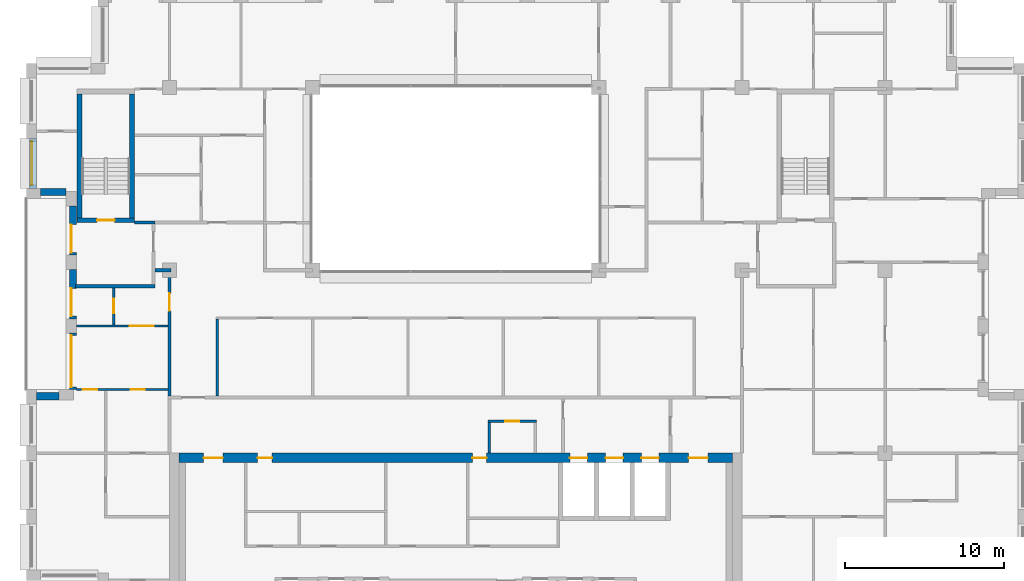
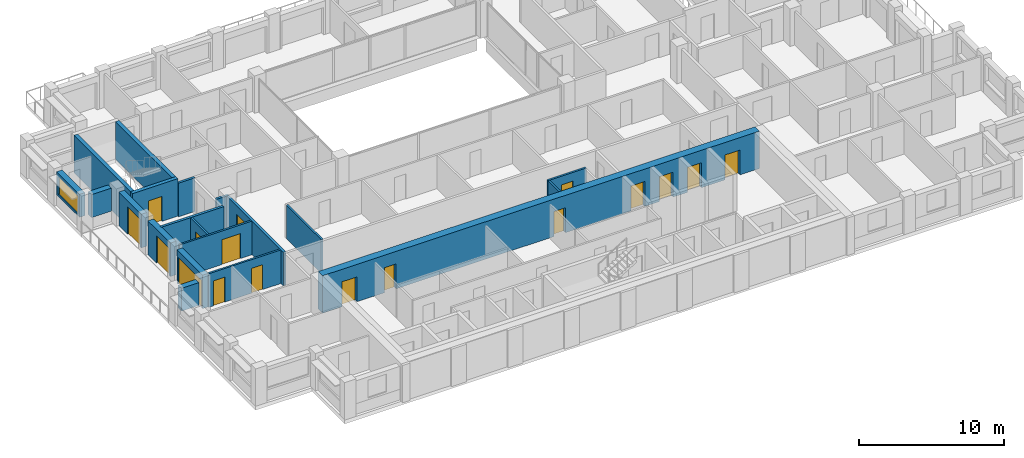
# One storey, part 9 of 16: 20 walls, 17 doors, 1 window, 18 openings.
"""IFC4 building model written with IfcOpenShell, lengths in metres."""

from ifc_helpers import new_model, si_unit, direction, frame, frame_2d, origin, place, context, subcontext, project, spatial, rectangle, extrude, material, layer, layer_set, type_object, element, fill, save


model = new_model("IFC4")

# Units and contexts
model_context = context("Model", 3, precision=1e-05, world=origin(), true_north=direction((0.0, 1.0)))
body_context = subcontext(model_context, "Body", "Model", "MODEL_VIEW")
ifc_project = project(units=[si_unit("LENGTHUNIT", "METRE"), si_unit("AREAUNIT", "SQUARE_METRE"), si_unit("VOLUMEUNIT", "CUBIC_METRE"), si_unit("PLANEANGLEUNIT", "RADIAN"), si_unit("MASSUNIT", "GRAM", prefix="KILO")], contexts=[model_context])

# Site, building, storey
site_placement = place(None, origin())
site = spatial("IfcSite", under=ifc_project, at=site_placement, CompositionType="ELEMENT")
building_placement = place(site_placement, origin())
building = spatial("IfcBuilding", under=site, at=building_placement, Name="Brigalow Station Residences", CompositionType="ELEMENT")
storey_placement = place(building_placement, frame((0.0, 0.0, 201.14990234375)))
storey = spatial("IfcBuildingStorey", under=building, at=storey_placement, Name="L57", CompositionType="ELEMENT", Elevation=201.14990234375)

# Wall, opening, window
ifc_material_1 = material(Name="Clay brick masonry", Category="masonry")
ifc_layer_1 = layer(ifc_material_1, 0.449951171875)
ifc_layer_set_1 = layer_set([ifc_layer_1], Name="BRICK INFILL WALL 450")
wall_type_1 = type_object("IfcWallType", Name="BRICK INFILL WALL 450", PredefinedType="SOLIDWALL", material=ifc_layer_set_1)
wall_1_placement = place(storey_placement, frame((9.425048828125, 32.300048828125, 0.900146484375), z_axis=(0.0, 0.0, 1.0), x_axis=(0.0, -1.0, 0.0)))
wall_1 = element("IfcWall", 1, at=wall_1_placement, inside=storey, type_object=wall_type_1, Name="L57/ewall/W-L57-35", PredefinedType="SOLIDWALL", context=body_context, shape_type="SweptSolid", body=[
    extrude(rectangle(XDim=3.150146484375, YDim=0.449951171875, at=frame_2d((1.5751953125, 0.0))), origin(), (0.0, 0.0, 1.0), 1.929931640625),
])
opening_1_placement = place(wall_1_placement, frame((0.199951171875, 0.0, 0.14990234375)))
opening_1 = element("IfcOpeningElement", 2, at=opening_1_placement, cuts=wall_1, Name="Opening WT-3", PredefinedType="OPENING", context=body_context, shape_type="SweptSolid", body=[
    extrude(rectangle(XDim=2.75, YDim=1.5, at=frame_2d((1.375, 0.75))), frame((0.0, 0.23486328125, 0.0), z_axis=(0.0, -1.0, 0.0), x_axis=(1.0, 0.0, 0.0)), (0.0, 0.0, 1.0), 0.469970703125),
])
ifc_material_2 = material(Name="Anodised aluminium frame with double glazing", Category="aluminium")
window_type = type_object("IfcWindowType", Name="WINDOW 2750x1500", PartitioningType="SINGLE_PANEL", PredefinedType="WINDOW", material=ifc_material_2)
window_placement = place(opening_1_placement, origin())
window = element("IfcWindow", 3, at=window_placement, inside=storey, type_object=window_type, Name="L57/window/W-L57-35", OverallHeight=1.5, OverallWidth=2.75, PartitioningType="SINGLE_PANEL", PredefinedType="WINDOW", context=body_context, shape_type="SweptSolid", body=[
    extrude(rectangle(XDim=2.75, YDim=1.5, at=frame_2d((1.375, 0.75))), frame((0.0, -0.06494140625, 0.0), z_axis=(0.0, -1.0, 0.0), x_axis=(1.0, 0.0, 0.0)), (0.0, 0.0, 1.0), 0.06005859375),
])
fill(opening_1, window)

# Wall
wall_2_placement = place(storey_placement, frame((9.89990234375, 28.925048828125, 0.900146484375), z_axis=(0.0, 0.0, 1.0), x_axis=(1.0, 0.0, 0.0)))
element("IfcWall", 4, at=wall_2_placement, inside=storey, type_object=wall_type_1, Name="L57/ewall/W-L57-36", PredefinedType="SOLIDWALL", context=body_context, shape_type="SweptSolid", body=[
    extrude(rectangle(XDim=1.60009765625, YDim=0.449951171875, at=frame_2d((0.800048828125, 0.0))), origin(), (0.0, 0.0, 1.0), 1.929931640625),
])

# Wall, opening, door
wall_3_placement = place(storey_placement, frame((11.925048828125, 28.050048828125, 0.0), z_axis=(0.0, 0.0, 1.0), x_axis=(0.0, -1.0, 0.0)))
wall_3 = element("IfcWall", 5, at=wall_3_placement, inside=storey, type_object=wall_type_1, Name="L57/ewall/W-L57-37", PredefinedType="SOLIDWALL", context=body_context, shape_type="SweptSolid", body=[
    extrude(rectangle(XDim=3.10009765625, YDim=0.449951171875, at=frame_2d((1.550048828125, 0.0))), origin(), (0.0, 0.0, 1.0), 2.830078125),
])
opening_2_placement = place(wall_3_placement, frame((1.18505859375, 0.0, 0.0)))
opening_2 = element("IfcOpeningElement", 6, at=opening_2_placement, cuts=wall_3, Name="Opening D-B1750", PredefinedType="OPENING", context=body_context, shape_type="SweptSolid", body=[
    extrude(rectangle(XDim=1.75, YDim=2.300048828125, at=frame_2d((0.875, 1.14990234375))), frame((0.0, 0.23486328125, 0.0), z_axis=(0.0, -1.0, 0.0), x_axis=(1.0, 0.0, 0.0)), (0.0, 0.0, 1.0), 0.469970703125),
])
ifc_material_3 = material(Name="Anodised aluminium frame with double glazing", Category="aluminium")
door_type_1 = type_object("IfcDoorType", Name="BALCONY SLIDING DOOR 1750x2300", OperationType="SLIDING_TO_LEFT", PredefinedType="DOOR", material=ifc_material_3)
door_1_placement = place(opening_2_placement, frame((1.75, -0.18994140625, 0.0), z_axis=(0.0, 0.0, 1.0), x_axis=(-1.0, 0.0, 0.0)))
door_1 = element("IfcDoor", 7, at=door_1_placement, inside=storey, type_object=door_type_1, Name="L57/balcony-door/W-L57-37", OperationType="SLIDING_TO_LEFT", OverallHeight=2.300048828125, OverallWidth=1.75, PredefinedType="DOOR", context=body_context, shape_type="SweptSolid", body=[
    extrude(rectangle(XDim=1.75, YDim=2.300048828125, at=frame_2d((0.875, 1.14990234375))), frame((0.0, -0.06982421875, 0.0), z_axis=(0.0, -1.0, 0.0), x_axis=(1.0, 0.0, 0.0)), (0.0, 0.0, 1.0), 0.050048828125),
])
fill(opening_2, door_1)

wall_4_placement = place(storey_placement, frame((11.925048828125, 24.050048828125, 0.0), z_axis=(0.0, 0.0, 1.0), x_axis=(0.0, -1.0, 0.0)))
wall_4 = element("IfcWall", 8, at=wall_4_placement, inside=storey, type_object=wall_type_1, Name="L57/ewall/W-L57-38", PredefinedType="SOLIDWALL", context=body_context, shape_type="SweptSolid", body=[
    extrude(rectangle(XDim=3.10009765625, YDim=0.449951171875, at=frame_2d((1.550048828125, 0.0))), origin(), (0.0, 0.0, 1.0), 2.830078125),
])
opening_3_placement = place(wall_4_placement, frame((1.18505859375, 0.0, 0.0)))
opening_3 = element("IfcOpeningElement", 9, at=opening_3_placement, cuts=wall_4, Name="Opening D-B1750", PredefinedType="OPENING", context=body_context, shape_type="SweptSolid", body=[
    extrude(rectangle(XDim=1.75, YDim=2.300048828125, at=frame_2d((0.875, 1.14990234375))), frame((0.0, 0.23486328125, 0.0), z_axis=(0.0, -1.0, 0.0), x_axis=(1.0, 0.0, 0.0)), (0.0, 0.0, 1.0), 0.469970703125),
])
door_2_placement = place(opening_3_placement, origin())
door_2 = element("IfcDoor", 10, at=door_2_placement, inside=storey, type_object=door_type_1, Name="L57/balcony-door/W-L57-38", OperationType="SLIDING_TO_LEFT", OverallHeight=2.300048828125, OverallWidth=1.75, PredefinedType="DOOR", context=body_context, shape_type="SweptSolid", body=[
    extrude(rectangle(XDim=1.75, YDim=2.300048828125, at=frame_2d((0.875, 1.14990234375))), frame((0.0, -0.06982421875, 0.0), z_axis=(0.0, -1.0, 0.0), x_axis=(1.0, 0.0, 0.0)), (0.0, 0.0, 1.0), 0.050048828125),
])
fill(opening_3, door_2)

wall_5_placement = place(storey_placement, frame((11.925048828125, 20.050048828125, 0.0), z_axis=(0.0, 0.0, 1.0), x_axis=(0.0, -1.0, 0.0)))
wall_5 = element("IfcWall", 11, at=wall_5_placement, inside=storey, type_object=wall_type_1, Name="L57/ewall/W-L57-39", PredefinedType="SOLIDWALL", context=body_context, shape_type="SweptSolid", body=[
    extrude(rectangle(XDim=3.550048828125, YDim=0.449951171875, at=frame_2d((1.77490234375, 0.0))), origin(), (0.0, 0.0, 1.0), 2.830078125),
])
opening_4_placement = place(wall_5_placement, frame((0.14990234375, 0.0, 0.0)))
opening_4 = element("IfcOpeningElement", 12, at=opening_4_placement, cuts=wall_5, Name="Opening D-B3250", PredefinedType="OPENING", context=body_context, shape_type="SweptSolid", body=[
    extrude(rectangle(XDim=3.25, YDim=2.300048828125, at=frame_2d((1.625, 1.14990234375))), frame((0.0, 0.23486328125, 0.0), z_axis=(0.0, -1.0, 0.0), x_axis=(1.0, 0.0, 0.0)), (0.0, 0.0, 1.0), 0.469970703125),
])
ifc_material_4 = material(Name="Anodised aluminium frame with double glazing", Category="aluminium")
door_type_2 = type_object("IfcDoorType", Name="BALCONY SLIDING DOOR 3250x2300", OperationType="SLIDING_TO_LEFT", PredefinedType="DOOR", material=ifc_material_4)
door_3_placement = place(opening_4_placement, origin())
door_3 = element("IfcDoor", 13, at=door_3_placement, inside=storey, type_object=door_type_2, Name="L57/balcony-door/W-L57-39", OperationType="SLIDING_TO_LEFT", OverallHeight=2.300048828125, OverallWidth=3.25, PredefinedType="DOOR", context=body_context, shape_type="SweptSolid", body=[
    extrude(rectangle(XDim=3.25, YDim=2.300048828125, at=frame_2d((1.625, 1.14990234375))), frame((0.0, -0.06982421875, 0.0), z_axis=(0.0, -1.0, 0.0), x_axis=(1.0, 0.0, 0.0)), (0.0, 0.0, 1.0), 0.050048828125),
])
fill(opening_4, door_3)

# Wall
wall_6_placement = place(storey_placement, frame((11.050048828125, 16.074951171875, 0.900146484375), z_axis=(0.0, 0.0, 1.0), x_axis=(-1.0, 0.0, 0.0)))
element("IfcWall", 14, at=wall_6_placement, inside=storey, type_object=wall_type_1, Name="L57/ewall/W-L57-40", PredefinedType="SOLIDWALL", context=body_context, shape_type="SweptSolid", body=[
    extrude(rectangle(XDim=1.400146484375, YDim=0.449951171875, at=frame_2d((0.7001953125, 0.0))), origin(), (0.0, 0.0, 1.0), 1.929931640625),
])

# Wall, opening, door
ifc_material_5 = material(Name="Concrete C50", Category="concrete")
ifc_layer_2 = layer(ifc_material_5, 0.300048828125)
ifc_layer_set_2 = layer_set([ifc_layer_2], Name="CORE SHEAR WALL 300 C50")
wall_type_2 = type_object("IfcWallType", Name="CORE SHEAR WALL 300 C50", PredefinedType="SHEAR", material=ifc_layer_set_2)
wall_7_placement = place(storey_placement, frame((12.199951171875, 27.14990234375, 0.0), z_axis=(0.0, 0.0, 1.0), x_axis=(1.0, 0.0, 0.0)))
wall_7 = element("IfcWall", 15, at=wall_7_placement, inside=storey, type_object=wall_type_2, Name="CORE WALL ST-S1-S L57", PredefinedType="SHEAR", context=body_context, shape_type="SweptSolid", body=[
    extrude(rectangle(XDim=3.60009765625, YDim=0.300048828125, at=frame_2d((1.800048828125, 0.0))), origin(), (0.0, 0.0, 1.0), 3.150146484375),
])
opening_5_placement = place(wall_7_placement, frame((1.25, 0.0, 0.0)))
opening_5 = element("IfcOpeningElement", 16, at=opening_5_placement, cuts=wall_7, Name="Opening D-5015", PredefinedType="OPENING", context=body_context, shape_type="SweptSolid", body=[
    extrude(rectangle(XDim=1.10009765625, YDim=2.10009765625, at=frame_2d((0.550048828125, 1.050048828125))), frame((0.0, 0.16015625, 0.0), z_axis=(0.0, -1.0, 0.0), x_axis=(1.0, 0.0, 0.0)), (0.0, 0.0, 1.0), 0.320068359375),
])
ifc_material_6 = material(Name="Steel fire door leaf in steel frame", Category="steel")
door_type_3 = type_object("IfcDoorType", Name="STAIR DOOR 1100 x 2100 FD60S", OperationType="SINGLE_SWING_LEFT", PredefinedType="DOOR", material=ifc_material_6)
door_4_placement = place(opening_5_placement, origin())
door_4 = element("IfcDoor", 17, at=door_4_placement, inside=storey, type_object=door_type_3, Name="D-5015", OperationType="SINGLE_SWING_LEFT", OverallHeight=2.10009765625, OverallWidth=1.10009765625, PredefinedType="DOOR", context=body_context, shape_type="SweptSolid", body=[
    extrude(rectangle(XDim=1.10009765625, YDim=2.10009765625, at=frame_2d((0.550048828125, 1.050048828125))), frame((0.0, 0.02490234375, 0.0), z_axis=(0.0, -1.0, 0.0), x_axis=(1.0, 0.0, 0.0)), (0.0, 0.0, 1.0), 0.050048828125),
])
fill(opening_5, door_4)

# Walls
for number, where, z_axis, x_axis, name in (
    (18, (12.35009765625, 27.300048828125, 0.0), (0.0, 0.0, 1.0), (0.0, 1.0, 0.0), "CORE WALL ST-S1-W L57"),
    (19, (15.64990234375, 27.300048828125, 0.0), (0.0, 0.0, 1.0), (0.0, 1.0, 0.0), "CORE WALL ST-S1-E L57"),
):
    element("IfcWall", number, at=place(storey_placement, frame(where, z_axis=z_axis, x_axis=x_axis)), inside=storey, type_object=wall_type_2, Name=name, PredefinedType="SHEAR", context=body_context, shape_type="SweptSolid", body=[
        extrude(rectangle(XDim=7.800048828125, YDim=0.300048828125, at=frame_2d((3.89990234375, 0.0))), origin(), (0.0, 0.0, 1.0), 3.150146484375),
    ])

# Wall, openings, doors
ifc_material_7 = material(Name="Concrete C50", Category="concrete")
ifc_layer_3 = layer(ifc_material_7, 0.60009765625)
ifc_layer_set_3 = layer_set([ifc_layer_3], Name="CORE SHEAR WALL 600 C50")
wall_type_3 = type_object("IfcWallType", Name="CORE SHEAR WALL 600 C50", PredefinedType="SHEAR", material=ifc_layer_set_3)
wall_8_placement = place(storey_placement, frame((18.60009765625, 12.199951171875, 0.0), z_axis=(0.0, 0.0, 1.0), x_axis=(1.0, 0.0, 0.0)))
wall_8 = element("IfcWall", 20, at=wall_8_placement, inside=storey, type_object=wall_type_3, Name="CORE WALL OUT-N L57", PredefinedType="SHEAR", context=body_context, shape_type="SweptSolid", body=[
    extrude(rectangle(XDim=34.7998046875, YDim=0.60009765625, at=frame_2d((17.39990234375, 0.0))), origin(), (0.0, 0.0, 1.0), 3.150146484375),
])
opening_6_placement = place(wall_8_placement, frame((24.574951171875, 0.0, 0.0)))
opening_6 = element("IfcOpeningElement", 21, at=opening_6_placement, cuts=wall_8, Name="Opening LD-LF1", PredefinedType="OPENING", context=body_context, shape_type="SweptSolid", body=[
    extrude(rectangle(XDim=1.10009765625, YDim=2.10009765625, at=frame_2d((0.550048828125, 1.050048828125))), frame((0.0, 0.31005859375, 0.0), z_axis=(0.0, -1.0, 0.0), x_axis=(1.0, 0.0, 0.0)), (0.0, 0.0, 1.0), 0.6201171875),
])
opening_7_placement = place(wall_8_placement, frame((26.824951171875, 0.0, 0.0)))
opening_7 = element("IfcOpeningElement", 22, at=opening_7_placement, cuts=wall_8, Name="Opening LD-LF2", PredefinedType="OPENING", context=body_context, shape_type="SweptSolid", body=[
    extrude(rectangle(XDim=1.10009765625, YDim=2.10009765625, at=frame_2d((0.550048828125, 1.050048828125))), frame((0.0, 0.31005859375, 0.0), z_axis=(0.0, -1.0, 0.0), x_axis=(1.0, 0.0, 0.0)), (0.0, 0.0, 1.0), 0.6201171875),
])
opening_8_placement = place(wall_8_placement, frame((29.074951171875, 0.0, 0.0)))
opening_8 = element("IfcOpeningElement", 23, at=opening_8_placement, cuts=wall_8, Name="Opening LD-LG1", PredefinedType="OPENING", context=body_context, shape_type="SweptSolid", body=[
    extrude(rectangle(XDim=1.10009765625, YDim=2.10009765625, at=frame_2d((0.550048828125, 1.050048828125))), frame((0.0, 0.31005859375, 0.0), z_axis=(0.0, -1.0, 0.0), x_axis=(1.0, 0.0, 0.0)), (0.0, 0.0, 1.0), 0.6201171875),
])
opening_9_placement = place(wall_8_placement, frame((4.949951171875, 0.0, 0.0)))
opening_9 = element("IfcOpeningElement", 24, at=opening_9_placement, cuts=wall_8, Name="Opening D-5118", PredefinedType="OPENING", context=body_context, shape_type="SweptSolid", body=[
    extrude(rectangle(XDim=0.89990234375, YDim=2.10009765625, at=frame_2d((0.449951171875, 1.050048828125))), frame((0.0, 0.31005859375, 0.0), z_axis=(0.0, -1.0, 0.0), x_axis=(1.0, 0.0, 0.0)), (0.0, 0.0, 1.0), 0.6201171875),
])
opening_10_placement = place(wall_8_placement, frame((18.449951171875, 0.0, 0.0)))
opening_10 = element("IfcOpeningElement", 25, at=opening_10_placement, cuts=wall_8, Name="Opening D-5119", PredefinedType="OPENING", context=body_context, shape_type="SweptSolid", body=[
    extrude(rectangle(XDim=0.89990234375, YDim=2.10009765625, at=frame_2d((0.449951171875, 1.050048828125))), frame((0.0, 0.31005859375, 0.0), z_axis=(0.0, -1.0, 0.0), x_axis=(1.0, 0.0, 0.0)), (0.0, 0.0, 1.0), 0.6201171875),
])
opening_11_placement = place(wall_8_placement, frame((1.550048828125, 0.0, 0.0)))
opening_11 = element("IfcOpeningElement", 26, at=opening_11_placement, cuts=wall_8, Name="Opening D-5011", PredefinedType="OPENING", context=body_context, shape_type="SweptSolid", body=[
    extrude(rectangle(XDim=1.199951171875, YDim=2.10009765625, at=frame_2d((0.60009765625, 1.050048828125))), frame((0.0, 0.31005859375, 0.0), z_axis=(0.0, -1.0, 0.0), x_axis=(1.0, 0.0, 0.0)), (0.0, 0.0, 1.0), 0.6201171875),
])
opening_12_placement = place(wall_8_placement, frame((32.050048828125, 0.0, 0.0)))
opening_12 = element("IfcOpeningElement", 27, at=opening_12_placement, cuts=wall_8, Name="Opening D-5012", PredefinedType="OPENING", context=body_context, shape_type="SweptSolid", body=[
    extrude(rectangle(XDim=1.199951171875, YDim=2.10009765625, at=frame_2d((0.60009765625, 1.050048828125))), frame((0.0, 0.31005859375, 0.0), z_axis=(0.0, -1.0, 0.0), x_axis=(1.0, 0.0, 0.0)), (0.0, 0.0, 1.0), 0.6201171875),
])
ifc_material_8 = material(Name="Steel fire door leaf in steel frame", Category="steel")
door_type_4 = type_object("IfcDoorType", Name="CORE CORRIDOR DOOR 1200 x 2100 FD60S", OperationType="SINGLE_SWING_LEFT", PredefinedType="DOOR", material=ifc_material_8)
door_5_placement = place(opening_11_placement, frame((1.199951171875, 0.0, 0.0), z_axis=(0.0, 0.0, 1.0), x_axis=(-1.0, 0.0, 0.0)))
door_5 = element("IfcDoor", 28, at=door_5_placement, inside=storey, type_object=door_type_4, Name="D-5011", OperationType="SINGLE_SWING_LEFT", OverallHeight=2.10009765625, OverallWidth=1.199951171875, PredefinedType="DOOR", context=body_context, shape_type="SweptSolid", body=[
    extrude(rectangle(XDim=1.199951171875, YDim=2.10009765625, at=frame_2d((0.60009765625, 1.050048828125))), frame((0.0, 0.02490234375, 0.0), z_axis=(0.0, -1.0, 0.0), x_axis=(1.0, 0.0, 0.0)), (0.0, 0.0, 1.0), 0.050048828125),
])
fill(opening_11, door_5)
door_6_placement = place(opening_12_placement, frame((1.199951171875, 0.0, 0.0), z_axis=(0.0, 0.0, 1.0), x_axis=(-1.0, 0.0, 0.0)))
door_6 = element("IfcDoor", 29, at=door_6_placement, inside=storey, type_object=door_type_4, Name="D-5012", OperationType="SINGLE_SWING_LEFT", OverallHeight=2.10009765625, OverallWidth=1.199951171875, PredefinedType="DOOR", context=body_context, shape_type="SweptSolid", body=[
    extrude(rectangle(XDim=1.199951171875, YDim=2.10009765625, at=frame_2d((0.60009765625, 1.050048828125))), frame((0.0, 0.02490234375, 0.0), z_axis=(0.0, -1.0, 0.0), x_axis=(1.0, 0.0, 0.0)), (0.0, 0.0, 1.0), 0.050048828125),
])
fill(opening_12, door_6)
ifc_material_9 = material(Name="Stainless steel sliding door leaves", Category="steel")
door_type_5 = type_object("IfcDoorType", Name="LIFT LANDING DOOR 1100 x 2100", OperationType="DOUBLE_DOOR_SLIDING", PredefinedType="DOOR", material=ifc_material_9)
door_7_placement = place(opening_6_placement, origin())
door_7 = element("IfcDoor", 30, at=door_7_placement, inside=storey, type_object=door_type_5, Name="LANDING DOOR LF1", OperationType="DOUBLE_DOOR_SLIDING", OverallHeight=2.10009765625, OverallWidth=1.10009765625, PredefinedType="DOOR", context=body_context, shape_type="SweptSolid", body=[
    extrude(rectangle(XDim=1.10009765625, YDim=2.10009765625, at=frame_2d((0.550048828125, 1.050048828125))), frame((0.0, 0.02490234375, 0.0), z_axis=(0.0, -1.0, 0.0), x_axis=(1.0, 0.0, 0.0)), (0.0, 0.0, 1.0), 0.050048828125),
])
fill(opening_6, door_7)
door_8_placement = place(opening_7_placement, origin())
door_8 = element("IfcDoor", 31, at=door_8_placement, inside=storey, type_object=door_type_5, Name="LANDING DOOR LF2", OperationType="DOUBLE_DOOR_SLIDING", OverallHeight=2.10009765625, OverallWidth=1.10009765625, PredefinedType="DOOR", context=body_context, shape_type="SweptSolid", body=[
    extrude(rectangle(XDim=1.10009765625, YDim=2.10009765625, at=frame_2d((0.550048828125, 1.050048828125))), frame((0.0, 0.02490234375, 0.0), z_axis=(0.0, -1.0, 0.0), x_axis=(1.0, 0.0, 0.0)), (0.0, 0.0, 1.0), 0.050048828125),
])
fill(opening_7, door_8)
door_9_placement = place(opening_8_placement, origin())
door_9 = element("IfcDoor", 32, at=door_9_placement, inside=storey, type_object=door_type_5, Name="LANDING DOOR LG1", OperationType="DOUBLE_DOOR_SLIDING", OverallHeight=2.10009765625, OverallWidth=1.10009765625, PredefinedType="DOOR", context=body_context, shape_type="SweptSolid", body=[
    extrude(rectangle(XDim=1.10009765625, YDim=2.10009765625, at=frame_2d((0.550048828125, 1.050048828125))), frame((0.0, 0.02490234375, 0.0), z_axis=(0.0, -1.0, 0.0), x_axis=(1.0, 0.0, 0.0)), (0.0, 0.0, 1.0), 0.050048828125),
])
fill(opening_8, door_9)
ifc_material_10 = material(Name="Steel door leaf in steel frame", Category="steel")
door_type_6 = type_object("IfcDoorType", Name="SERVICE ROOM DOOR 900 x 2100 FD60", OperationType="SINGLE_SWING_LEFT", PredefinedType="DOOR", material=ifc_material_10)
door_10_placement = place(opening_9_placement, frame((0.89990234375, 0.0, 0.0), z_axis=(0.0, 0.0, 1.0), x_axis=(-1.0, 0.0, 0.0)))
door_10 = element("IfcDoor", 33, at=door_10_placement, inside=storey, type_object=door_type_6, Name="D-5118", OperationType="SINGLE_SWING_RIGHT", OverallHeight=2.10009765625, OverallWidth=0.89990234375, PredefinedType="DOOR", context=body_context, shape_type="SweptSolid", body=[
    extrude(rectangle(XDim=0.89990234375, YDim=2.10009765625, at=frame_2d((0.449951171875, 1.050048828125))), frame((0.0, 0.02490234375, 0.0), z_axis=(0.0, -1.0, 0.0), x_axis=(1.0, 0.0, 0.0)), (0.0, 0.0, 1.0), 0.050048828125),
])
fill(opening_9, door_10)
door_11_placement = place(opening_10_placement, frame((0.89990234375, 0.0, 0.0), z_axis=(0.0, 0.0, 1.0), x_axis=(-1.0, 0.0, 0.0)))
door_11 = element("IfcDoor", 34, at=door_11_placement, inside=storey, type_object=door_type_6, Name="D-5119", OperationType="SINGLE_SWING_RIGHT", OverallHeight=2.10009765625, OverallWidth=0.89990234375, PredefinedType="DOOR", context=body_context, shape_type="SweptSolid", body=[
    extrude(rectangle(XDim=0.89990234375, YDim=2.10009765625, at=frame_2d((0.449951171875, 1.050048828125))), frame((0.0, 0.02490234375, 0.0), z_axis=(0.0, -1.0, 0.0), x_axis=(1.0, 0.0, 0.0)), (0.0, 0.0, 1.0), 0.050048828125),
])
fill(opening_10, door_11)

# Walls
ifc_material_11 = material(Name="Concrete blockwork", Category="masonry")
ifc_layer_4 = layer(ifc_material_11, 0.199951171875)
ifc_layer_set_4 = layer_set([ifc_layer_4], Name="FIRE RATED CORE PARTITION 200")
wall_type_4 = type_object("IfcWallType", Name="FIRE RATED CORE PARTITION 200", PredefinedType="PARTITIONING", material=ifc_layer_set_4)
wall_9_placement = place(storey_placement, frame((12.10009765625, 23.0, 0.0), z_axis=(0.0, 0.0, 1.0), x_axis=(1.0, 0.0, 0.0)))
element("IfcWall", 35, at=wall_9_placement, inside=storey, type_object=wall_type_4, Name="PW-5023", PredefinedType="PARTITIONING", context=body_context, shape_type="SweptSolid", body=[
    extrude(rectangle(XDim=5.0, YDim=0.199951171875, at=frame_2d((2.5, 0.0))), origin(), (0.0, 0.0, 1.0), 2.830078125),
])
wall_10_placement = place(storey_placement, frame((15.800048828125, 27.0, 0.0), z_axis=(0.0, 0.0, 1.0), x_axis=(1.0, 0.0, 0.0)))
element("IfcWall", 36, at=wall_10_placement, inside=storey, type_object=wall_type_4, Name="PW-5025", PredefinedType="PARTITIONING", context=body_context, shape_type="SweptSolid", body=[
    extrude(rectangle(XDim=1.300048828125, YDim=0.199951171875, at=frame_2d((0.64990234375, 0.0))), origin(), (0.0, 0.0, 1.0), 2.830078125),
])

# Wall, opening, door
ifc_material_12 = material(Name="Plasterboard on steel stud partition", Category="steel")
ifc_layer_5 = layer(ifc_material_12, 0.14990234375)
ifc_layer_set_5 = layer_set([ifc_layer_5], Name="FLAT PARTITION 150")
wall_type_5 = type_object("IfcWallType", Name="FLAT PARTITION 150", PredefinedType="PARTITIONING", material=ifc_layer_set_5)
wall_11_placement = place(storey_placement, frame((12.14990234375, 20.5, 0.0), z_axis=(0.0, 0.0, 1.0), x_axis=(1.0, 0.0, 0.0)))
wall_11 = element("IfcWall", 37, at=wall_11_placement, inside=storey, type_object=wall_type_5, Name="PW-4A09", PredefinedType="PARTITIONING", context=body_context, shape_type="SweptSolid", body=[
    extrude(rectangle(XDim=5.75, YDim=0.14990234375, at=frame_2d((2.875, 0.0))), origin(), (0.0, 0.0, 1.0), 2.830078125),
])
opening_13_placement = place(wall_11_placement, frame((3.35009765625, 0.0, 0.0)))
opening_13 = element("IfcOpeningElement", 38, at=opening_13_placement, cuts=wall_11, Name="Opening D-4A05", PredefinedType="OPENING", context=body_context, shape_type="SweptSolid", body=[
    extrude(rectangle(XDim=1.5, YDim=2.10009765625, at=frame_2d((0.75, 1.050048828125))), frame((0.0, 0.0849609375, 0.0), z_axis=(0.0, -1.0, 0.0), x_axis=(1.0, 0.0, 0.0)), (0.0, 0.0, 1.0), 0.169921875),
])
ifc_material_13 = material(Name="Solid-core timber door leaf", Category="wood")
door_type_7 = type_object("IfcDoorType", Name="INTERNAL DOUBLE DOOR 1500 x 2100", OperationType="DOUBLE_DOOR_SINGLE_SWING", PredefinedType="DOOR", material=ifc_material_13)
door_12_placement = place(opening_13_placement, origin())
door_12 = element("IfcDoor", 39, at=door_12_placement, inside=storey, type_object=door_type_7, Name="D-4A05", OperationType="DOUBLE_DOOR_SINGLE_SWING", OverallHeight=2.10009765625, OverallWidth=1.5, PredefinedType="DOOR", context=body_context, shape_type="SweptSolid", body=[
    extrude(rectangle(XDim=1.5, YDim=2.10009765625, at=frame_2d((0.75, 1.050048828125))), frame((0.0, 0.02490234375, 0.0), z_axis=(0.0, -1.0, 0.0), x_axis=(1.0, 0.0, 0.0)), (0.0, 0.0, 1.0), 0.050048828125),
])
fill(opening_13, door_12)

# Wall, openings, doors
wall_12_placement = place(storey_placement, frame((12.14990234375, 16.5, 0.0), z_axis=(0.0, 0.0, 1.0), x_axis=(1.0, 0.0, 0.0)))
wall_12 = element("IfcWall", 40, at=wall_12_placement, inside=storey, type_object=wall_type_5, Name="PW-4A10", PredefinedType="PARTITIONING", context=body_context, shape_type="SweptSolid", body=[
    extrude(rectangle(XDim=5.75, YDim=0.14990234375, at=frame_2d((2.875, 0.0))), origin(), (0.0, 0.0, 1.0), 2.830078125),
])
opening_14_placement = place(wall_12_placement, frame((3.39990234375, 0.0, 0.0)))
opening_14 = element("IfcOpeningElement", 41, at=opening_14_placement, cuts=wall_12, Name="Opening D-4A06", PredefinedType="OPENING", context=body_context, shape_type="SweptSolid", body=[
    extrude(rectangle(XDim=0.89990234375, YDim=2.10009765625, at=frame_2d((0.449951171875, 1.050048828125))), frame((0.0, 0.0849609375, 0.0), z_axis=(0.0, -1.0, 0.0), x_axis=(1.0, 0.0, 0.0)), (0.0, 0.0, 1.0), 0.169921875),
])
opening_15_placement = place(wall_12_placement, frame((0.39990234375, 0.0, 0.0)))
opening_15 = element("IfcOpeningElement", 42, at=opening_15_placement, cuts=wall_12, Name="Opening D-4A07", PredefinedType="OPENING", context=body_context, shape_type="SweptSolid", body=[
    extrude(rectangle(XDim=0.89990234375, YDim=2.10009765625, at=frame_2d((0.449951171875, 1.050048828125))), frame((0.0, 0.0849609375, 0.0), z_axis=(0.0, -1.0, 0.0), x_axis=(1.0, 0.0, 0.0)), (0.0, 0.0, 1.0), 0.169921875),
])
ifc_material_14 = material(Name="Solid-core timber door leaf", Category="wood")
door_type_8 = type_object("IfcDoorType", Name="INTERNAL DOOR 900 x 2100", OperationType="SINGLE_SWING_LEFT", PredefinedType="DOOR", material=ifc_material_14)
door_13_placement = place(opening_14_placement, frame((0.89990234375, 0.0, 0.0), z_axis=(0.0, 0.0, 1.0), x_axis=(-1.0, 0.0, 0.0)))
door_13 = element("IfcDoor", 43, at=door_13_placement, inside=storey, type_object=door_type_8, Name="D-4A06", OperationType="SINGLE_SWING_LEFT", OverallHeight=2.10009765625, OverallWidth=0.89990234375, PredefinedType="DOOR", context=body_context, shape_type="SweptSolid", body=[
    extrude(rectangle(XDim=0.89990234375, YDim=2.10009765625, at=frame_2d((0.449951171875, 1.050048828125))), frame((0.0, 0.02490234375, 0.0), z_axis=(0.0, -1.0, 0.0), x_axis=(1.0, 0.0, 0.0)), (0.0, 0.0, 1.0), 0.050048828125),
])
fill(opening_14, door_13)
door_14_placement = place(opening_15_placement, frame((0.89990234375, 0.0, 0.0), z_axis=(0.0, 0.0, 1.0), x_axis=(-1.0, 0.0, 0.0)))
door_14 = element("IfcDoor", 44, at=door_14_placement, inside=storey, type_object=door_type_8, Name="D-4A07", OperationType="SINGLE_SWING_RIGHT", OverallHeight=2.10009765625, OverallWidth=0.89990234375, PredefinedType="DOOR", context=body_context, shape_type="SweptSolid", body=[
    extrude(rectangle(XDim=0.89990234375, YDim=2.10009765625, at=frame_2d((0.449951171875, 1.050048828125))), frame((0.0, 0.02490234375, 0.0), z_axis=(0.0, -1.0, 0.0), x_axis=(1.0, 0.0, 0.0)), (0.0, 0.0, 1.0), 0.050048828125),
])
fill(opening_15, door_14)

# Wall
wall_13_placement = place(storey_placement, frame((21.0, 16.10009765625, 0.0), z_axis=(0.0, 0.0, 1.0), x_axis=(0.0, 1.0, 0.0)))
element("IfcWall", 45, at=wall_13_placement, inside=storey, type_object=wall_type_5, Name="PW-4A37", PredefinedType="PARTITIONING", context=body_context, shape_type="SweptSolid", body=[
    extrude(rectangle(XDim=4.824951171875, YDim=0.14990234375, at=frame_2d((2.41259765625, 0.0))), origin(), (0.0, 0.0, 1.0), 2.830078125),
])

# Wall, opening, door
wall_14_placement = place(storey_placement, frame((14.5, 20.574951171875, 0.0), z_axis=(0.0, 0.0, 1.0), x_axis=(0.0, 1.0, 0.0)))
wall_14 = element("IfcWall", 46, at=wall_14_placement, inside=storey, type_object=wall_type_5, Name="PW-4A42", PredefinedType="PARTITIONING", context=body_context, shape_type="SweptSolid", body=[
    extrude(rectangle(XDim=2.324951171875, YDim=0.14990234375, at=frame_2d((1.16259765625, 0.0))), origin(), (0.0, 0.0, 1.0), 2.830078125),
])
opening_16_placement = place(wall_14_placement, frame((0.72509765625, 0.0, 0.0)))
opening_16 = element("IfcOpeningElement", 47, at=opening_16_placement, cuts=wall_14, Name="Opening D-4A04", PredefinedType="OPENING", context=body_context, shape_type="SweptSolid", body=[
    extrude(rectangle(XDim=0.89990234375, YDim=2.10009765625, at=frame_2d((0.449951171875, 1.050048828125))), frame((0.0, 0.0849609375, 0.0), z_axis=(0.0, -1.0, 0.0), x_axis=(1.0, 0.0, 0.0)), (0.0, 0.0, 1.0), 0.169921875),
])
door_15_placement = place(opening_16_placement, origin())
door_15 = element("IfcDoor", 48, at=door_15_placement, inside=storey, type_object=door_type_8, Name="D-4A04", OperationType="SINGLE_SWING_RIGHT", OverallHeight=2.10009765625, OverallWidth=0.89990234375, PredefinedType="DOOR", context=body_context, shape_type="SweptSolid", body=[
    extrude(rectangle(XDim=0.89990234375, YDim=2.10009765625, at=frame_2d((0.449951171875, 1.050048828125))), frame((0.0, 0.02490234375, 0.0), z_axis=(0.0, -1.0, 0.0), x_axis=(1.0, 0.0, 0.0)), (0.0, 0.0, 1.0), 0.050048828125),
])
fill(opening_16, door_15)

# Wall
ifc_material_15 = material(Name="Plasterboard on steel stud partition", Category="steel")
ifc_layer_6 = layer(ifc_material_15, 0.199951171875)
ifc_layer_set_6 = layer_set([ifc_layer_6], Name="PARTY AND CORRIDOR WALL 200")
wall_type_6 = type_object("IfcWallType", Name="PARTY AND CORRIDOR WALL 200", PredefinedType="PARTITIONING", material=ifc_layer_set_6)
wall_15_placement = place(storey_placement, frame((17.10009765625, 24.0, 0.0), z_axis=(0.0, 0.0, 1.0), x_axis=(1.0, 0.0, 0.0)))
element("IfcWall", 49, at=wall_15_placement, inside=storey, type_object=wall_type_6, Name="PW-4A01", PredefinedType="PARTITIONING", context=body_context, shape_type="SweptSolid", body=[
    extrude(rectangle(XDim=1.0, YDim=0.199951171875, at=frame_2d((0.5, 0.0))), origin(), (0.0, 0.0, 1.0), 2.830078125),
])

# Wall, opening, door
wall_16_placement = place(storey_placement, frame((18.0, 16.10009765625, 0.0), z_axis=(0.0, 0.0, 1.0), x_axis=(0.0, 1.0, 0.0)))
wall_16 = element("IfcWall", 50, at=wall_16_placement, inside=storey, type_object=wall_type_6, Name="PW-4A34", PredefinedType="PARTITIONING", context=body_context, shape_type="SweptSolid", body=[
    extrude(rectangle(XDim=7.7998046875, YDim=0.199951171875, at=frame_2d((3.89990234375, 0.0))), origin(), (0.0, 0.0, 1.0), 2.830078125),
])
opening_17_placement = place(wall_16_placement, frame((5.35009765625, 0.0, 0.0)))
opening_17 = element("IfcOpeningElement", 51, at=opening_17_placement, cuts=wall_16, Name="Opening D-4A03", PredefinedType="OPENING", context=body_context, shape_type="SweptSolid", body=[
    extrude(rectangle(XDim=1.10009765625, YDim=2.10009765625, at=frame_2d((0.550048828125, 1.050048828125))), frame((0.0, 0.10986328125, 0.0), z_axis=(0.0, -1.0, 0.0), x_axis=(1.0, 0.0, 0.0)), (0.0, 0.0, 1.0), 0.219970703125),
])
ifc_material_16 = material(Name="Solid-core timber door leaf", Category="wood")
door_type_9 = type_object("IfcDoorType", Name="FLAT ENTRANCE DOOR 1100 x 2100 FRL -/60/30", OperationType="SINGLE_SWING_LEFT", PredefinedType="DOOR", material=ifc_material_16)
door_16_placement = place(opening_17_placement, origin())
door_16 = element("IfcDoor", 52, at=door_16_placement, inside=storey, type_object=door_type_9, Name="D-4A03", OperationType="SINGLE_SWING_LEFT", OverallHeight=2.10009765625, OverallWidth=1.10009765625, PredefinedType="DOOR", context=body_context, shape_type="SweptSolid", body=[
    extrude(rectangle(XDim=1.10009765625, YDim=2.10009765625, at=frame_2d((0.550048828125, 1.050048828125))), frame((0.0, 0.02490234375, 0.0), z_axis=(0.0, -1.0, 0.0), x_axis=(1.0, 0.0, 0.0)), (0.0, 0.0, 1.0), 0.050048828125),
])
fill(opening_17, door_16)

ifc_material_17 = material(Name="Plasterboard on steel studs", Category="steel")
ifc_layer_7 = layer(ifc_material_17, 0.14990234375)
ifc_layer_set_7 = layer_set([ifc_layer_7], Name="SERVICE ROOM PARTITION 150")
wall_type_7 = type_object("IfcWallType", Name="SERVICE ROOM PARTITION 150", PredefinedType="PARTITIONING", material=ifc_layer_set_7)
wall_17_placement = place(storey_placement, frame((38.02490234375, 14.5, 0.0), z_axis=(0.0, 0.0, 1.0), x_axis=(1.0, 0.0, 0.0)))
wall_17 = element("IfcWall", 53, at=wall_17_placement, inside=storey, type_object=wall_type_7, Name="PW-5138", PredefinedType="PARTITIONING", context=body_context, shape_type="SweptSolid", body=[
    extrude(rectangle(XDim=3.050048828125, YDim=0.14990234375, at=frame_2d((1.52490234375, 0.0))), origin(), (0.0, 0.0, 1.0), 2.830078125),
])
opening_18_placement = place(wall_17_placement, frame((1.074951171875, 0.0, 0.0)))
opening_18 = element("IfcOpeningElement", 54, at=opening_18_placement, cuts=wall_17, Name="Opening D-5079", PredefinedType="OPENING", context=body_context, shape_type="SweptSolid", body=[
    extrude(rectangle(XDim=0.89990234375, YDim=2.10009765625, at=frame_2d((0.449951171875, 1.050048828125))), frame((0.0, 0.0849609375, 0.0), z_axis=(0.0, -1.0, 0.0), x_axis=(1.0, 0.0, 0.0)), (0.0, 0.0, 1.0), 0.169921875),
])
door_17_placement = place(opening_18_placement, frame((0.89990234375, 0.0, 0.0), z_axis=(0.0, 0.0, 1.0), x_axis=(-1.0, 0.0, 0.0)))
door_17 = element("IfcDoor", 55, at=door_17_placement, inside=storey, type_object=door_type_6, Name="D-5079", OperationType="SINGLE_SWING_RIGHT", OverallHeight=2.10009765625, OverallWidth=0.89990234375, PredefinedType="DOOR", context=body_context, shape_type="SweptSolid", body=[
    extrude(rectangle(XDim=0.89990234375, YDim=2.10009765625, at=frame_2d((0.449951171875, 1.050048828125))), frame((0.0, 0.02490234375, 0.0), z_axis=(0.0, -1.0, 0.0), x_axis=(1.0, 0.0, 0.0)), (0.0, 0.0, 1.0), 0.050048828125),
])
fill(opening_18, door_17)

# Wall
wall_18_placement = place(storey_placement, frame((38.10009765625, 12.5, 0.0), z_axis=(0.0, 0.0, 1.0), x_axis=(0.0, 1.0, 0.0)))
element("IfcWall", 56, at=wall_18_placement, inside=storey, type_object=wall_type_7, Name="PW-5139", PredefinedType="PARTITIONING", context=body_context, shape_type="SweptSolid", body=[
    extrude(rectangle(XDim=1.925048828125, YDim=0.14990234375, at=frame_2d((0.96240234375, 0.0))), origin(), (0.0, 0.0, 1.0), 2.830078125),
])

save(model, "model.ifc")
